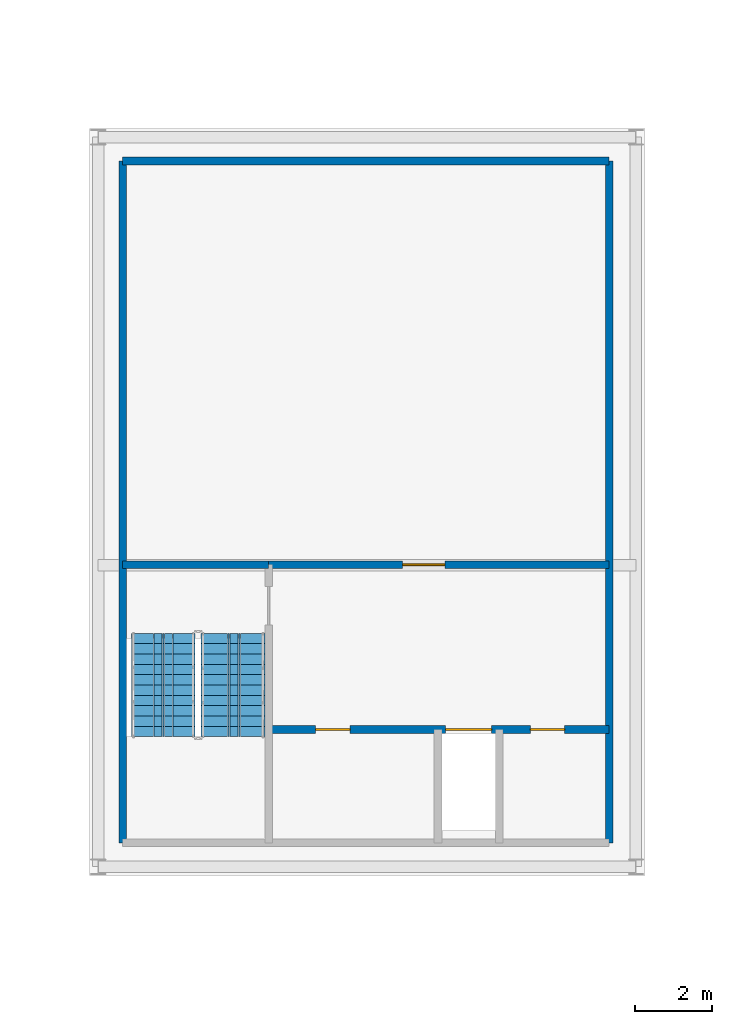
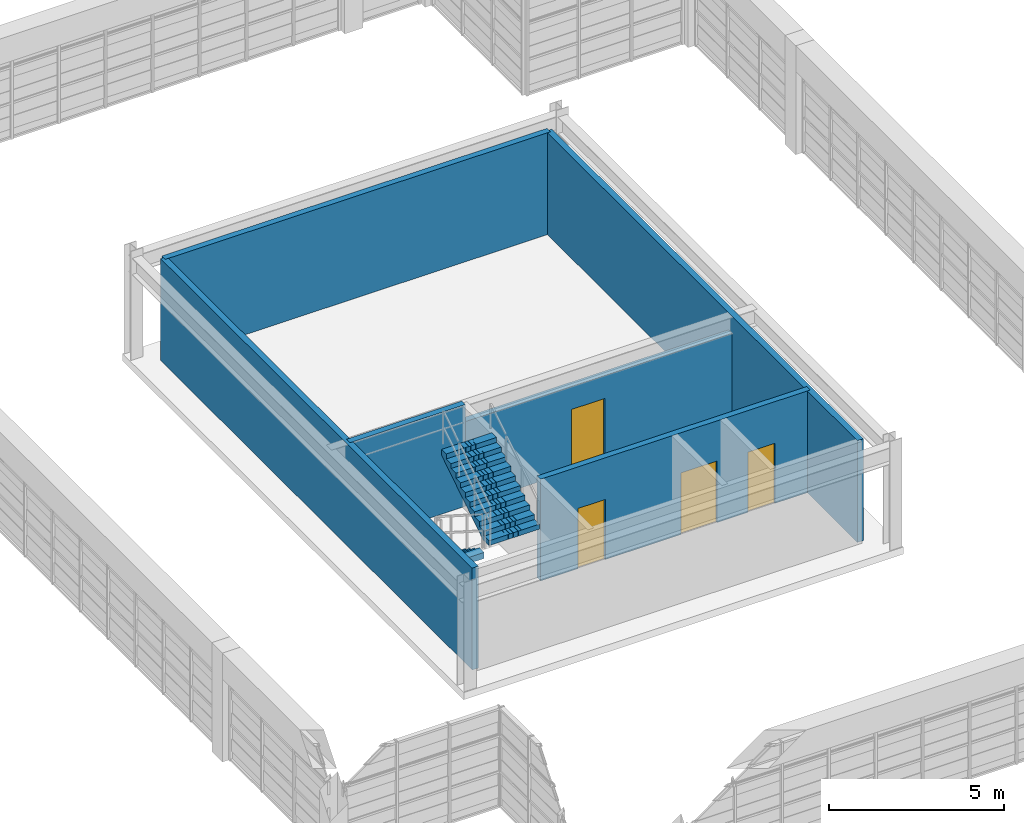
# One storey, part 24 of 27: 6 walls, 4 doors, 2 stair flights, 4 openings, 1 element without a shape of its own.
"""IFC4 building model written with IfcOpenShell, lengths in metres."""

from ifc_helpers import new_model, si_unit, direction, frame, frame_2d, origin, place, context, subcontext, project, spatial, polyline, rectangle, outline, extrude, source, transform, mapped, material, layer, layer_set, type_object, element, fill, aggregate, save


model = new_model("IFC4")

# Units and contexts
model_context = context("Model", 3, precision=1e-05, world=origin(), true_north=direction((0.0, 1.0)))
body_context = subcontext(model_context, "Body", "Model", "MODEL_VIEW")
ifc_project = project(units=[si_unit("LENGTHUNIT", "METRE"), si_unit("AREAUNIT", "SQUARE_METRE"), si_unit("VOLUMEUNIT", "CUBIC_METRE"), si_unit("PLANEANGLEUNIT", "RADIAN"), si_unit("MASSUNIT", "GRAM", prefix="KILO")], contexts=[model_context])

# Site, building, storey
site_placement = place(None, origin())
site = spatial("IfcSite", under=ifc_project, at=site_placement, CompositionType="ELEMENT")
building_placement = place(site_placement, origin())
building = spatial("IfcBuilding", under=site, at=building_placement, Name="Saelheon Loggia Tower", CompositionType="ELEMENT")
storey_placement = place(building_placement, frame((0.0, 0.0, 256.0)))
storey = spatial("IfcBuildingStorey", under=building, at=storey_placement, Name="CR2", CompositionType="ELEMENT", Elevation=256.0)

# Wall, openings, doors
ifc_material_1 = material(Name="Concrete C40/50", Category="concrete")
ifc_layer_1 = layer(ifc_material_1, 0.199951171875)
ifc_layer_set_1 = layer_set([ifc_layer_1], Name="Concrete C40/50")
wall_type_1 = type_object("IfcWallType", Name="Wall_Shaft_200", PredefinedType="PARTITIONING", material=ifc_layer_set_1)
wall_1_placement = place(storey_placement, frame((35.429931640625, 21.06005859375, 0.0), z_axis=(0.0, 0.0, 1.0), x_axis=(1.0, 0.0, 0.0)))
wall_1 = element("IfcWall", 1, at=wall_1_placement, inside=storey, type_object=wall_type_1, Name="CR2 SV1 Shaft Front Wall", PredefinedType="PARTITIONING", context=body_context, shape_type="SweptSolid", body=[
    extrude(rectangle(XDim=8.89013671875, YDim=0.199951171875, at=frame_2d((4.445068359375, 0.0))), origin(), (0.0, 0.0, 1.0), 3.550048828125),
])
opening_1_placement = place(wall_1_placement, frame((1.22998046875, 0.0, 0.0)))
opening_1 = element("IfcOpeningElement", 2, at=opening_1_placement, cuts=wall_1, Name="Opening D-RS1", PredefinedType="OPENING", context=body_context, shape_type="SweptSolid", body=[
    extrude(rectangle(XDim=0.89990234375, YDim=2.10009765625, at=frame_2d((0.449951171875, 1.050048828125))), frame((0.0, 0.112060546875, 0.0), z_axis=(0.0, -1.0, 0.0), x_axis=(1.0, 0.0, 0.0)), (0.0, 0.0, 1.0), 0.223876953125),
])
opening_2_placement = place(wall_1_placement, frame((4.6201171875, 0.0, 0.0)))
opening_2 = element("IfcOpeningElement", 3, at=opening_2_placement, cuts=wall_1, Name="Opening LD3", PredefinedType="OPENING", context=body_context, shape_type="SweptSolid", body=[
    extrude(rectangle(XDim=1.199951171875, YDim=2.14990234375, at=frame_2d((0.60009765625, 1.074951171875))), frame((0.0, 0.112060546875, 0.0), z_axis=(0.0, -1.0, 0.0), x_axis=(1.0, 0.0, 0.0)), (0.0, 0.0, 1.0), 0.223876953125),
])
opening_3_placement = place(wall_1_placement, frame((6.830078125, 0.0, 0.0)))
opening_3 = element("IfcOpeningElement", 4, at=opening_3_placement, cuts=wall_1, Name="Opening D-RS1", PredefinedType="OPENING", context=body_context, shape_type="SweptSolid", body=[
    extrude(rectangle(XDim=0.89990234375, YDim=2.10009765625, at=frame_2d((0.449951171875, 1.050048828125))), frame((0.0, 0.112060546875, 0.0), z_axis=(0.0, -1.0, 0.0), x_axis=(1.0, 0.0, 0.0)), (0.0, 0.0, 1.0), 0.223876953125),
])
ifc_material_2 = material(Name="Galvanised Steel Riser Access Door", Category="steel")
door_type_1 = type_object("IfcDoorType", Name="Door_Riser_FD60", OperationType="NOTDEFINED", PredefinedType="DOOR", material=ifc_material_2)
shared_shape_1 = source(origin(), body_context, "Body", "SweptSolid", [
    extrude(rectangle(XDim=0.89990234375, YDim=2.10009765625, at=frame_2d((0.449951171875, 1.050048828125))), frame((0.0, 0.02490234375, 0.0), z_axis=(0.0, -1.0, 0.0), x_axis=(1.0, 0.0, 0.0)), (0.0, 0.0, 1.0), 0.050048828125),
])
door_1_placement = place(opening_1_placement, origin())
door_1 = element("IfcDoor", 5, at=door_1_placement, inside=storey, type_object=door_type_1, Name="CR2 West Riser Closet Door", OperationType="SINGLE_SWING_LEFT", OverallHeight=2.10009765625, OverallWidth=0.89990234375, PredefinedType="DOOR", context=body_context, shape_type="MappedRepresentation", body=[
    mapped(shared_shape_1, transform((0.0, 0.0, 0.0), scale=1.0)),
])
fill(opening_1, door_1)
door_2_placement = place(opening_3_placement, origin())
door_2 = element("IfcDoor", 6, at=door_2_placement, inside=storey, type_object=door_type_1, Name="CR2 East Riser Closet Door", OperationType="SINGLE_SWING_RIGHT", OverallHeight=2.10009765625, OverallWidth=0.89990234375, PredefinedType="DOOR", context=body_context, shape_type="MappedRepresentation", body=[
    mapped(shared_shape_1, transform((0.0, 0.0, 0.0), scale=1.0)),
])
fill(opening_3, door_2)
ifc_material_3 = material(Name="Stretcher Lift Stainless Steel 304 Landing Door", Category="steel")
door_type_2 = type_object("IfcDoorType", Name="Door_Lift_LD3", OperationType="DOUBLE_DOOR_SLIDING", PredefinedType="DOOR", material=ifc_material_3)
shared_shape_2 = source(origin(), body_context, "Body", "SweptSolid", [
    extrude(rectangle(XDim=1.199951171875, YDim=2.14990234375, at=frame_2d((0.60009765625, 1.074951171875))), frame((0.0, 0.02490234375, 0.0), z_axis=(0.0, -1.0, 0.0), x_axis=(1.0, 0.0, 0.0)), (0.0, 0.0, 1.0), 0.050048828125),
])
door_3_placement = place(opening_2_placement, origin())
door_3 = element("IfcDoor", 7, at=door_3_placement, inside=storey, type_object=door_type_2, Name="CR2 SV1 Landing Door", OperationType="DOUBLE_DOOR_SLIDING", OverallHeight=2.14990234375, OverallWidth=1.199951171875, PredefinedType="DOOR", context=body_context, shape_type="MappedRepresentation", body=[
    mapped(shared_shape_2, transform((0.0, 0.0, 0.0), scale=1.0)),
])
fill(opening_2, door_3)

# Wall, opening, door
wall_2_placement = place(storey_placement, frame((35.429931640625, 25.360107421875, 0.0), z_axis=(0.0, 0.0, 1.0), x_axis=(1.0, 0.0, 0.0)))
wall_2 = element("IfcWall", 8, at=wall_2_placement, inside=storey, type_object=wall_type_1, Name="CR2 Service Lift Lobby North Wall", PredefinedType="PARTITIONING", context=body_context, shape_type="SweptSolid", body=[
    extrude(rectangle(XDim=8.89013671875, YDim=0.199951171875, at=frame_2d((4.445068359375, 0.0))), origin(), (0.0, 0.0, 1.0), 2.951904296875),
])
opening_4_placement = place(wall_2_placement, frame((3.5, 0.0, 0.0)))
opening_4 = element("IfcOpeningElement", 9, at=opening_4_placement, cuts=wall_2, Name="Opening D-FD2", PredefinedType="OPENING", context=body_context, shape_type="SweptSolid", body=[
    extrude(rectangle(XDim=1.10009765625, YDim=2.14990234375, at=frame_2d((0.550048828125, 1.074951171875))), frame((0.0, 0.112060546875, 0.0), z_axis=(0.0, -1.0, 0.0), x_axis=(1.0, 0.0, 0.0)), (0.0, 0.0, 1.0), 0.223876953125),
])
ifc_material_4 = material(Name="Galvanised Steel Fire Door", Category="steel")
door_type_3 = type_object("IfcDoorType", Name="Door_Fire_FD60_1100", OperationType="NOTDEFINED", PredefinedType="DOOR", material=ifc_material_4)
shared_shape_3 = source(origin(), body_context, "Body", "SweptSolid", [
    extrude(rectangle(XDim=1.10009765625, YDim=2.14990234375, at=frame_2d((0.550048828125, 1.074951171875))), frame((0.0, 0.02490234375, 0.0), z_axis=(0.0, -1.0, 0.0), x_axis=(1.0, 0.0, 0.0)), (0.0, 0.0, 1.0), 0.050048828125),
])
door_4_placement = place(opening_4_placement, origin())
door_4 = element("IfcDoor", 10, at=door_4_placement, inside=storey, type_object=door_type_3, Name="CR2 Crown Mechanical Room Door", OperationType="SINGLE_SWING_LEFT", OverallHeight=2.14990234375, OverallWidth=1.10009765625, PredefinedType="DOOR", context=body_context, shape_type="MappedRepresentation", body=[
    mapped(shared_shape_3, transform((0.0, 0.0, 0.0), scale=1.0)),
])
fill(opening_4, door_4)

# Walls
ifc_material_5 = material(Name="Concrete C45/55", Category="concrete")
ifc_layer_2 = layer(ifc_material_5, 0.199951171875)
ifc_layer_set_2 = layer_set([ifc_layer_2], Name="Concrete C45/55")
wall_type_2 = type_object("IfcWallType", Name="Wall_StairShaft_RC200", PredefinedType="SOLIDWALL", material=ifc_layer_set_2)
for number, where, z_axis, x_axis, name in (
    (11, (31.6201171875, 18.10009765625, 0.0), (0.0, 0.0, 1.0), (0.0, 1.0, 0.0), "CR2 Crown Core West Enclosure Wall"),
    (12, (44.320068359375, 18.10009765625, 0.0), (0.0, 0.0, 1.0), (0.0, 1.0, 0.0), "CR2 Crown Core East Enclosure Wall"),
):
    element("IfcWall", number, at=place(storey_placement, frame(where, z_axis=z_axis, x_axis=x_axis)), inside=storey, type_object=wall_type_2, Name=name, PredefinedType="SOLIDWALL", context=body_context, shape_type="SweptSolid", body=[
        extrude(rectangle(XDim=17.7998046875, YDim=0.199951171875, at=frame_2d((8.89990234375, 0.0))), origin(), (0.0, 0.0, 1.0), 3.550048828125),
    ])
wall_3_placement = place(storey_placement, frame((31.6201171875, 35.89990234375, 0.0), z_axis=(0.0, 0.0, 1.0), x_axis=(1.0, 0.0, 0.0)))
element("IfcWall", 13, at=wall_3_placement, inside=storey, type_object=wall_type_2, Name="CR2 Crown Core North Enclosure Wall", PredefinedType="SOLIDWALL", context=body_context, shape_type="SweptSolid", body=[
    extrude(rectangle(XDim=12.699951171875, YDim=0.199951171875, at=frame_2d((6.35009765625, 0.0))), origin(), (0.0, 0.0, 1.0), 3.550048828125),
])
wall_4_placement = place(storey_placement, frame((31.6201171875, 25.360107421875, 0.0), z_axis=(0.0, 0.0, 1.0), x_axis=(1.0, 0.0, 0.0)))
element("IfcWall", 14, at=wall_4_placement, inside=storey, type_object=wall_type_2, Name="CR2 ST5 Shaft North Wall", PredefinedType="SOLIDWALL", context=body_context, shape_type="SweptSolid", body=[
    extrude(rectangle(XDim=3.809814453125, YDim=0.199951171875, at=frame_2d((1.90478515625, 0.0))), origin(), (0.0, 0.0, 1.0), 3.550048828125),
])

# Stair, stair flights
stair_type = type_object("IfcStairType", Name="Stair_Plant_Crown", PredefinedType="HALF_TURN_STAIR", material=ifc_material_1)
stair_placement = place(storey_placement, origin())
stair = element("IfcStair", 15, at=stair_placement, inside=storey, type_object=stair_type, Name="CR2 Crown Plant Stair ST5", PredefinedType="HALF_TURN_STAIR")
stair_flight_type = type_object("IfcStairFlightType", Name="StairFlight_Crown_1520", PredefinedType="STRAIGHT", material=ifc_material_1)
stair_flight_1_placement = place(storey_placement, frame((32.679931640625, 23.570068359375, 0.0), z_axis=(0.0, 0.0, 1.0), x_axis=(0.0, -1.0, 0.0)))
stair_flight_1 = element("IfcStairFlight", 16, at=stair_flight_1_placement, type_object=stair_flight_type, Name="ST5 flight 1", NumberOfRisers=11, NumberOfTreads=10, PredefinedType="STRAIGHT", RiserHeight=0.172727273, TreadLength=0.27, context=body_context, shape_type="SweptSolid", body=[
    extrude(outline(polyline([(0.0, 0.0), (0.0, 0.172607421875), (0.27001953125, 0.172607421875), (0.27001953125, 0.345458984375), (0.5400390625, 0.345458984375), (0.5400390625, 0.51806640625), (0.81005859375, 0.51806640625), (0.81005859375, 0.69091796875), (1.080078125, 0.69091796875), (1.080078125, 0.863525390625), (1.35009765625, 0.863525390625), (1.35009765625, 1.036376953125), (1.6201171875, 1.036376953125), (1.6201171875, 1.208984375), (1.889892578125, 1.208984375), (1.889892578125, 1.3818359375), (2.159912109375, 1.3818359375), (2.159912109375, 1.554443359375), (2.429931640625, 1.554443359375), (2.429931640625, 1.727294921875), (2.699951171875, 1.727294921875), (2.699951171875, 1.89990234375), (2.699951171875, 1.513671875), (0.333984375, 0.0), (0.0, 0.0)])), frame((0.0, -0.2490234375, 0.0), z_axis=(0.0, -1.0, 0.0), x_axis=(1.0, 0.0, 0.0)), (0.0, 0.0, 1.0), 0.5810546875),
    extrude(outline(polyline([(0.0, 0.0), (0.0, 0.172607421875), (0.27001953125, 0.172607421875), (0.27001953125, 0.345458984375), (0.5400390625, 0.345458984375), (0.5400390625, 0.51806640625), (0.81005859375, 0.51806640625), (0.81005859375, 0.69091796875), (1.080078125, 0.69091796875), (1.080078125, 0.863525390625), (1.35009765625, 0.863525390625), (1.35009765625, 1.036376953125), (1.6201171875, 1.036376953125), (1.6201171875, 1.208984375), (1.889892578125, 1.208984375), (1.889892578125, 1.3818359375), (2.159912109375, 1.3818359375), (2.159912109375, 1.554443359375), (2.429931640625, 1.554443359375), (2.429931640625, 1.727294921875), (2.699951171875, 1.727294921875), (2.699951171875, 1.89990234375), (2.699951171875, 1.513671875), (0.333984375, 0.0), (0.0, 0.0)])), frame((0.0, -0.194091796875, 0.0), z_axis=(0.0, -1.0, 0.0), x_axis=(1.0, 0.0, 0.0)), (0.0, 0.0, 1.0), 0.0498046875),
    extrude(outline(polyline([(0.0, 0.0), (0.0, 0.172607421875), (0.27001953125, 0.172607421875), (0.27001953125, 0.345458984375), (0.5400390625, 0.345458984375), (0.5400390625, 0.51806640625), (0.81005859375, 0.51806640625), (0.81005859375, 0.69091796875), (1.080078125, 0.69091796875), (1.080078125, 0.863525390625), (1.35009765625, 0.863525390625), (1.35009765625, 1.036376953125), (1.6201171875, 1.036376953125), (1.6201171875, 1.208984375), (1.889892578125, 1.208984375), (1.889892578125, 1.3818359375), (2.159912109375, 1.3818359375), (2.159912109375, 1.554443359375), (2.429931640625, 1.554443359375), (2.429931640625, 1.727294921875), (2.699951171875, 1.727294921875), (2.699951171875, 1.89990234375), (2.699951171875, 1.513671875), (0.333984375, 0.0), (0.0, 0.0)])), frame((0.0, -0.139404296875, 0.0), z_axis=(0.0, -1.0, 0.0), x_axis=(1.0, 0.0, 0.0)), (0.0, 0.0, 1.0), 0.0498046875),
    extrude(outline(polyline([(0.0, 0.0), (0.0, 0.172607421875), (0.27001953125, 0.172607421875), (0.27001953125, 0.345458984375), (0.5400390625, 0.345458984375), (0.5400390625, 0.51806640625), (0.81005859375, 0.51806640625), (0.81005859375, 0.69091796875), (1.080078125, 0.69091796875), (1.080078125, 0.863525390625), (1.35009765625, 0.863525390625), (1.35009765625, 1.036376953125), (1.6201171875, 1.036376953125), (1.6201171875, 1.208984375), (1.889892578125, 1.208984375), (1.889892578125, 1.3818359375), (2.159912109375, 1.3818359375), (2.159912109375, 1.554443359375), (2.429931640625, 1.554443359375), (2.429931640625, 1.727294921875), (2.699951171875, 1.727294921875), (2.699951171875, 1.89990234375), (2.699951171875, 1.513671875), (0.333984375, 0.0), (0.0, 0.0)])), frame((0.0, -0.084716796875, 0.0), z_axis=(0.0, -1.0, 0.0), x_axis=(1.0, 0.0, 0.0)), (0.0, 0.0, 1.0), 0.0498046875),
    extrude(outline(polyline([(0.0, 0.0), (0.0, 0.172607421875), (0.27001953125, 0.172607421875), (0.27001953125, 0.345458984375), (0.5400390625, 0.345458984375), (0.5400390625, 0.51806640625), (0.81005859375, 0.51806640625), (0.81005859375, 0.69091796875), (1.080078125, 0.69091796875), (1.080078125, 0.863525390625), (1.35009765625, 0.863525390625), (1.35009765625, 1.036376953125), (1.6201171875, 1.036376953125), (1.6201171875, 1.208984375), (1.889892578125, 1.208984375), (1.889892578125, 1.3818359375), (2.159912109375, 1.3818359375), (2.159912109375, 1.554443359375), (2.429931640625, 1.554443359375), (2.429931640625, 1.727294921875), (2.699951171875, 1.727294921875), (2.699951171875, 1.89990234375), (2.699951171875, 1.513671875), (0.333984375, 0.0), (0.0, 0.0)])), frame((0.0, -0.02978515625, 0.0), z_axis=(0.0, -1.0, 0.0), x_axis=(1.0, 0.0, 0.0)), (0.0, 0.0, 1.0), 0.0498046875),
    extrude(outline(polyline([(0.0, 0.0), (0.0, 0.172607421875), (0.27001953125, 0.172607421875), (0.27001953125, 0.345458984375), (0.5400390625, 0.345458984375), (0.5400390625, 0.51806640625), (0.81005859375, 0.51806640625), (0.81005859375, 0.69091796875), (1.080078125, 0.69091796875), (1.080078125, 0.863525390625), (1.35009765625, 0.863525390625), (1.35009765625, 1.036376953125), (1.6201171875, 1.036376953125), (1.6201171875, 1.208984375), (1.889892578125, 1.208984375), (1.889892578125, 1.3818359375), (2.159912109375, 1.3818359375), (2.159912109375, 1.554443359375), (2.429931640625, 1.554443359375), (2.429931640625, 1.727294921875), (2.699951171875, 1.727294921875), (2.699951171875, 1.89990234375), (2.699951171875, 1.513671875), (0.333984375, 0.0), (0.0, 0.0)])), frame((0.0, 0.02490234375, 0.0), z_axis=(0.0, -1.0, 0.0), x_axis=(1.0, 0.0, 0.0)), (0.0, 0.0, 1.0), 0.0498046875),
    extrude(outline(polyline([(0.0, 0.0), (0.0, 0.172607421875), (0.27001953125, 0.172607421875), (0.27001953125, 0.345458984375), (0.5400390625, 0.345458984375), (0.5400390625, 0.51806640625), (0.81005859375, 0.51806640625), (0.81005859375, 0.69091796875), (1.080078125, 0.69091796875), (1.080078125, 0.863525390625), (1.35009765625, 0.863525390625), (1.35009765625, 1.036376953125), (1.6201171875, 1.036376953125), (1.6201171875, 1.208984375), (1.889892578125, 1.208984375), (1.889892578125, 1.3818359375), (2.159912109375, 1.3818359375), (2.159912109375, 1.554443359375), (2.429931640625, 1.554443359375), (2.429931640625, 1.727294921875), (2.699951171875, 1.727294921875), (2.699951171875, 1.89990234375), (2.699951171875, 1.513671875), (0.333984375, 0.0), (0.0, 0.0)])), frame((0.0, 0.07958984375, 0.0), z_axis=(0.0, -1.0, 0.0), x_axis=(1.0, 0.0, 0.0)), (0.0, 0.0, 1.0), 0.0498046875),
    extrude(outline(polyline([(0.0, 0.0), (0.0, 0.172607421875), (0.27001953125, 0.172607421875), (0.27001953125, 0.345458984375), (0.5400390625, 0.345458984375), (0.5400390625, 0.51806640625), (0.81005859375, 0.51806640625), (0.81005859375, 0.69091796875), (1.080078125, 0.69091796875), (1.080078125, 0.863525390625), (1.35009765625, 0.863525390625), (1.35009765625, 1.036376953125), (1.6201171875, 1.036376953125), (1.6201171875, 1.208984375), (1.889892578125, 1.208984375), (1.889892578125, 1.3818359375), (2.159912109375, 1.3818359375), (2.159912109375, 1.554443359375), (2.429931640625, 1.554443359375), (2.429931640625, 1.727294921875), (2.699951171875, 1.727294921875), (2.699951171875, 1.89990234375), (2.699951171875, 1.513671875), (0.333984375, 0.0), (0.0, 0.0)])), frame((0.0, 0.134521484375, 0.0), z_axis=(0.0, -1.0, 0.0), x_axis=(1.0, 0.0, 0.0)), (0.0, 0.0, 1.0), 0.0498046875),
    extrude(outline(polyline([(0.0, 0.0), (0.0, 0.172607421875), (0.27001953125, 0.172607421875), (0.27001953125, 0.345458984375), (0.5400390625, 0.345458984375), (0.5400390625, 0.51806640625), (0.81005859375, 0.51806640625), (0.81005859375, 0.69091796875), (1.080078125, 0.69091796875), (1.080078125, 0.863525390625), (1.35009765625, 0.863525390625), (1.35009765625, 1.036376953125), (1.6201171875, 1.036376953125), (1.6201171875, 1.208984375), (1.889892578125, 1.208984375), (1.889892578125, 1.3818359375), (2.159912109375, 1.3818359375), (2.159912109375, 1.554443359375), (2.429931640625, 1.554443359375), (2.429931640625, 1.727294921875), (2.699951171875, 1.727294921875), (2.699951171875, 1.89990234375), (2.699951171875, 1.513671875), (0.333984375, 0.0), (0.0, 0.0)])), frame((0.0, 0.189208984375, 0.0), z_axis=(0.0, -1.0, 0.0), x_axis=(1.0, 0.0, 0.0)), (0.0, 0.0, 1.0), 0.0498046875),
    extrude(outline(polyline([(0.0, 0.0), (0.0, 0.172607421875), (0.27001953125, 0.172607421875), (0.27001953125, 0.345458984375), (0.5400390625, 0.345458984375), (0.5400390625, 0.51806640625), (0.81005859375, 0.51806640625), (0.81005859375, 0.69091796875), (1.080078125, 0.69091796875), (1.080078125, 0.863525390625), (1.35009765625, 0.863525390625), (1.35009765625, 1.036376953125), (1.6201171875, 1.036376953125), (1.6201171875, 1.208984375), (1.889892578125, 1.208984375), (1.889892578125, 1.3818359375), (2.159912109375, 1.3818359375), (2.159912109375, 1.554443359375), (2.429931640625, 1.554443359375), (2.429931640625, 1.727294921875), (2.699951171875, 1.727294921875), (2.699951171875, 1.89990234375), (2.699951171875, 1.513671875), (0.333984375, 0.0), (0.0, 0.0)])), frame((0.0, 0.243896484375, 0.0), z_axis=(0.0, -1.0, 0.0), x_axis=(1.0, 0.0, 0.0)), (0.0, 0.0, 1.0), 0.0498046875),
    extrude(outline(polyline([(0.0, 0.0), (0.0, 0.172607421875), (0.27001953125, 0.172607421875), (0.27001953125, 0.345458984375), (0.5400390625, 0.345458984375), (0.5400390625, 0.51806640625), (0.81005859375, 0.51806640625), (0.81005859375, 0.69091796875), (1.080078125, 0.69091796875), (1.080078125, 0.863525390625), (1.35009765625, 0.863525390625), (1.35009765625, 1.036376953125), (1.6201171875, 1.036376953125), (1.6201171875, 1.208984375), (1.889892578125, 1.208984375), (1.889892578125, 1.3818359375), (2.159912109375, 1.3818359375), (2.159912109375, 1.554443359375), (2.429931640625, 1.554443359375), (2.429931640625, 1.727294921875), (2.699951171875, 1.727294921875), (2.699951171875, 1.89990234375), (2.699951171875, 1.513671875), (0.333984375, 0.0), (0.0, 0.0)])), frame((0.0, 0.830078125, 0.0), z_axis=(0.0, -1.0, 0.0), x_axis=(1.0, 0.0, 0.0)), (0.0, 0.0, 1.0), 0.5810546875),
])
stair_flight_2_placement = place(storey_placement, frame((34.5, 20.8701171875, 1.89990234375), z_axis=(0.0, 0.0, 1.0), x_axis=(0.0, 1.0, 0.0)))
stair_flight_2 = element("IfcStairFlight", 17, at=stair_flight_2_placement, type_object=stair_flight_type, Name="ST5 flight 2", NumberOfRisers=11, NumberOfTreads=10, PredefinedType="STRAIGHT", RiserHeight=0.172727273, TreadLength=0.27, context=body_context, shape_type="SweptSolid", body=[
    extrude(outline(polyline([(0.0, 0.0), (0.0, 0.172607421875), (0.27001953125, 0.172607421875), (0.27001953125, 0.345458984375), (0.5400390625, 0.345458984375), (0.5400390625, 0.51806640625), (0.81005859375, 0.51806640625), (0.81005859375, 0.69091796875), (1.080078125, 0.69091796875), (1.080078125, 0.863525390625), (1.35009765625, 0.863525390625), (1.35009765625, 1.036376953125), (1.6201171875, 1.036376953125), (1.6201171875, 1.208984375), (1.889892578125, 1.208984375), (1.889892578125, 1.3818359375), (2.159912109375, 1.3818359375), (2.159912109375, 1.554443359375), (2.429931640625, 1.554443359375), (2.429931640625, 1.727294921875), (2.699951171875, 1.727294921875), (2.699951171875, 1.89990234375), (2.699951171875, 1.513671875), (0.333984375, 0.0), (0.0, 0.0)])), frame((0.0, -0.2490234375, 0.0), z_axis=(0.0, -1.0, 0.0), x_axis=(1.0, 0.0, 0.0)), (0.0, 0.0, 1.0), 0.5810546875),
    extrude(outline(polyline([(0.0, 0.0), (0.0, 0.172607421875), (0.27001953125, 0.172607421875), (0.27001953125, 0.345458984375), (0.5400390625, 0.345458984375), (0.5400390625, 0.51806640625), (0.81005859375, 0.51806640625), (0.81005859375, 0.69091796875), (1.080078125, 0.69091796875), (1.080078125, 0.863525390625), (1.35009765625, 0.863525390625), (1.35009765625, 1.036376953125), (1.6201171875, 1.036376953125), (1.6201171875, 1.208984375), (1.889892578125, 1.208984375), (1.889892578125, 1.3818359375), (2.159912109375, 1.3818359375), (2.159912109375, 1.554443359375), (2.429931640625, 1.554443359375), (2.429931640625, 1.727294921875), (2.699951171875, 1.727294921875), (2.699951171875, 1.89990234375), (2.699951171875, 1.513671875), (0.333984375, 0.0), (0.0, 0.0)])), frame((0.0, -0.194091796875, 0.0), z_axis=(0.0, -1.0, 0.0), x_axis=(1.0, 0.0, 0.0)), (0.0, 0.0, 1.0), 0.0498046875),
    extrude(outline(polyline([(0.0, 0.0), (0.0, 0.172607421875), (0.27001953125, 0.172607421875), (0.27001953125, 0.345458984375), (0.5400390625, 0.345458984375), (0.5400390625, 0.51806640625), (0.81005859375, 0.51806640625), (0.81005859375, 0.69091796875), (1.080078125, 0.69091796875), (1.080078125, 0.863525390625), (1.35009765625, 0.863525390625), (1.35009765625, 1.036376953125), (1.6201171875, 1.036376953125), (1.6201171875, 1.208984375), (1.889892578125, 1.208984375), (1.889892578125, 1.3818359375), (2.159912109375, 1.3818359375), (2.159912109375, 1.554443359375), (2.429931640625, 1.554443359375), (2.429931640625, 1.727294921875), (2.699951171875, 1.727294921875), (2.699951171875, 1.89990234375), (2.699951171875, 1.513671875), (0.333984375, 0.0), (0.0, 0.0)])), frame((0.0, -0.139404296875, 0.0), z_axis=(0.0, -1.0, 0.0), x_axis=(1.0, 0.0, 0.0)), (0.0, 0.0, 1.0), 0.0498046875),
    extrude(outline(polyline([(0.0, 0.0), (0.0, 0.172607421875), (0.27001953125, 0.172607421875), (0.27001953125, 0.345458984375), (0.5400390625, 0.345458984375), (0.5400390625, 0.51806640625), (0.81005859375, 0.51806640625), (0.81005859375, 0.69091796875), (1.080078125, 0.69091796875), (1.080078125, 0.863525390625), (1.35009765625, 0.863525390625), (1.35009765625, 1.036376953125), (1.6201171875, 1.036376953125), (1.6201171875, 1.208984375), (1.889892578125, 1.208984375), (1.889892578125, 1.3818359375), (2.159912109375, 1.3818359375), (2.159912109375, 1.554443359375), (2.429931640625, 1.554443359375), (2.429931640625, 1.727294921875), (2.699951171875, 1.727294921875), (2.699951171875, 1.89990234375), (2.699951171875, 1.513671875), (0.333984375, 0.0), (0.0, 0.0)])), frame((0.0, -0.084716796875, 0.0), z_axis=(0.0, -1.0, 0.0), x_axis=(1.0, 0.0, 0.0)), (0.0, 0.0, 1.0), 0.0498046875),
    extrude(outline(polyline([(0.0, 0.0), (0.0, 0.172607421875), (0.27001953125, 0.172607421875), (0.27001953125, 0.345458984375), (0.5400390625, 0.345458984375), (0.5400390625, 0.51806640625), (0.81005859375, 0.51806640625), (0.81005859375, 0.69091796875), (1.080078125, 0.69091796875), (1.080078125, 0.863525390625), (1.35009765625, 0.863525390625), (1.35009765625, 1.036376953125), (1.6201171875, 1.036376953125), (1.6201171875, 1.208984375), (1.889892578125, 1.208984375), (1.889892578125, 1.3818359375), (2.159912109375, 1.3818359375), (2.159912109375, 1.554443359375), (2.429931640625, 1.554443359375), (2.429931640625, 1.727294921875), (2.699951171875, 1.727294921875), (2.699951171875, 1.89990234375), (2.699951171875, 1.513671875), (0.333984375, 0.0), (0.0, 0.0)])), frame((0.0, -0.02978515625, 0.0), z_axis=(0.0, -1.0, 0.0), x_axis=(1.0, 0.0, 0.0)), (0.0, 0.0, 1.0), 0.0498046875),
    extrude(outline(polyline([(0.0, 0.0), (0.0, 0.172607421875), (0.27001953125, 0.172607421875), (0.27001953125, 0.345458984375), (0.5400390625, 0.345458984375), (0.5400390625, 0.51806640625), (0.81005859375, 0.51806640625), (0.81005859375, 0.69091796875), (1.080078125, 0.69091796875), (1.080078125, 0.863525390625), (1.35009765625, 0.863525390625), (1.35009765625, 1.036376953125), (1.6201171875, 1.036376953125), (1.6201171875, 1.208984375), (1.889892578125, 1.208984375), (1.889892578125, 1.3818359375), (2.159912109375, 1.3818359375), (2.159912109375, 1.554443359375), (2.429931640625, 1.554443359375), (2.429931640625, 1.727294921875), (2.699951171875, 1.727294921875), (2.699951171875, 1.89990234375), (2.699951171875, 1.513671875), (0.333984375, 0.0), (0.0, 0.0)])), frame((0.0, 0.02490234375, 0.0), z_axis=(0.0, -1.0, 0.0), x_axis=(1.0, 0.0, 0.0)), (0.0, 0.0, 1.0), 0.0498046875),
    extrude(outline(polyline([(0.0, 0.0), (0.0, 0.172607421875), (0.27001953125, 0.172607421875), (0.27001953125, 0.345458984375), (0.5400390625, 0.345458984375), (0.5400390625, 0.51806640625), (0.81005859375, 0.51806640625), (0.81005859375, 0.69091796875), (1.080078125, 0.69091796875), (1.080078125, 0.863525390625), (1.35009765625, 0.863525390625), (1.35009765625, 1.036376953125), (1.6201171875, 1.036376953125), (1.6201171875, 1.208984375), (1.889892578125, 1.208984375), (1.889892578125, 1.3818359375), (2.159912109375, 1.3818359375), (2.159912109375, 1.554443359375), (2.429931640625, 1.554443359375), (2.429931640625, 1.727294921875), (2.699951171875, 1.727294921875), (2.699951171875, 1.89990234375), (2.699951171875, 1.513671875), (0.333984375, 0.0), (0.0, 0.0)])), frame((0.0, 0.07958984375, 0.0), z_axis=(0.0, -1.0, 0.0), x_axis=(1.0, 0.0, 0.0)), (0.0, 0.0, 1.0), 0.0498046875),
    extrude(outline(polyline([(0.0, 0.0), (0.0, 0.172607421875), (0.27001953125, 0.172607421875), (0.27001953125, 0.345458984375), (0.5400390625, 0.345458984375), (0.5400390625, 0.51806640625), (0.81005859375, 0.51806640625), (0.81005859375, 0.69091796875), (1.080078125, 0.69091796875), (1.080078125, 0.863525390625), (1.35009765625, 0.863525390625), (1.35009765625, 1.036376953125), (1.6201171875, 1.036376953125), (1.6201171875, 1.208984375), (1.889892578125, 1.208984375), (1.889892578125, 1.3818359375), (2.159912109375, 1.3818359375), (2.159912109375, 1.554443359375), (2.429931640625, 1.554443359375), (2.429931640625, 1.727294921875), (2.699951171875, 1.727294921875), (2.699951171875, 1.89990234375), (2.699951171875, 1.513671875), (0.333984375, 0.0), (0.0, 0.0)])), frame((0.0, 0.134521484375, 0.0), z_axis=(0.0, -1.0, 0.0), x_axis=(1.0, 0.0, 0.0)), (0.0, 0.0, 1.0), 0.0498046875),
    extrude(outline(polyline([(0.0, 0.0), (0.0, 0.172607421875), (0.27001953125, 0.172607421875), (0.27001953125, 0.345458984375), (0.5400390625, 0.345458984375), (0.5400390625, 0.51806640625), (0.81005859375, 0.51806640625), (0.81005859375, 0.69091796875), (1.080078125, 0.69091796875), (1.080078125, 0.863525390625), (1.35009765625, 0.863525390625), (1.35009765625, 1.036376953125), (1.6201171875, 1.036376953125), (1.6201171875, 1.208984375), (1.889892578125, 1.208984375), (1.889892578125, 1.3818359375), (2.159912109375, 1.3818359375), (2.159912109375, 1.554443359375), (2.429931640625, 1.554443359375), (2.429931640625, 1.727294921875), (2.699951171875, 1.727294921875), (2.699951171875, 1.89990234375), (2.699951171875, 1.513671875), (0.333984375, 0.0), (0.0, 0.0)])), frame((0.0, 0.189208984375, 0.0), z_axis=(0.0, -1.0, 0.0), x_axis=(1.0, 0.0, 0.0)), (0.0, 0.0, 1.0), 0.0498046875),
    extrude(outline(polyline([(0.0, 0.0), (0.0, 0.172607421875), (0.27001953125, 0.172607421875), (0.27001953125, 0.345458984375), (0.5400390625, 0.345458984375), (0.5400390625, 0.51806640625), (0.81005859375, 0.51806640625), (0.81005859375, 0.69091796875), (1.080078125, 0.69091796875), (1.080078125, 0.863525390625), (1.35009765625, 0.863525390625), (1.35009765625, 1.036376953125), (1.6201171875, 1.036376953125), (1.6201171875, 1.208984375), (1.889892578125, 1.208984375), (1.889892578125, 1.3818359375), (2.159912109375, 1.3818359375), (2.159912109375, 1.554443359375), (2.429931640625, 1.554443359375), (2.429931640625, 1.727294921875), (2.699951171875, 1.727294921875), (2.699951171875, 1.89990234375), (2.699951171875, 1.513671875), (0.333984375, 0.0), (0.0, 0.0)])), frame((0.0, 0.243896484375, 0.0), z_axis=(0.0, -1.0, 0.0), x_axis=(1.0, 0.0, 0.0)), (0.0, 0.0, 1.0), 0.0498046875),
    extrude(outline(polyline([(0.0, 0.0), (0.0, 0.172607421875), (0.27001953125, 0.172607421875), (0.27001953125, 0.345458984375), (0.5400390625, 0.345458984375), (0.5400390625, 0.51806640625), (0.81005859375, 0.51806640625), (0.81005859375, 0.69091796875), (1.080078125, 0.69091796875), (1.080078125, 0.863525390625), (1.35009765625, 0.863525390625), (1.35009765625, 1.036376953125), (1.6201171875, 1.036376953125), (1.6201171875, 1.208984375), (1.889892578125, 1.208984375), (1.889892578125, 1.3818359375), (2.159912109375, 1.3818359375), (2.159912109375, 1.554443359375), (2.429931640625, 1.554443359375), (2.429931640625, 1.727294921875), (2.699951171875, 1.727294921875), (2.699951171875, 1.89990234375), (2.699951171875, 1.513671875), (0.333984375, 0.0), (0.0, 0.0)])), frame((0.0, 0.830078125, 0.0), z_axis=(0.0, -1.0, 0.0), x_axis=(1.0, 0.0, 0.0)), (0.0, 0.0, 1.0), 0.5810546875),
])
aggregate(stair, [stair_flight_1, stair_flight_2])

save(model, "model.ifc")
